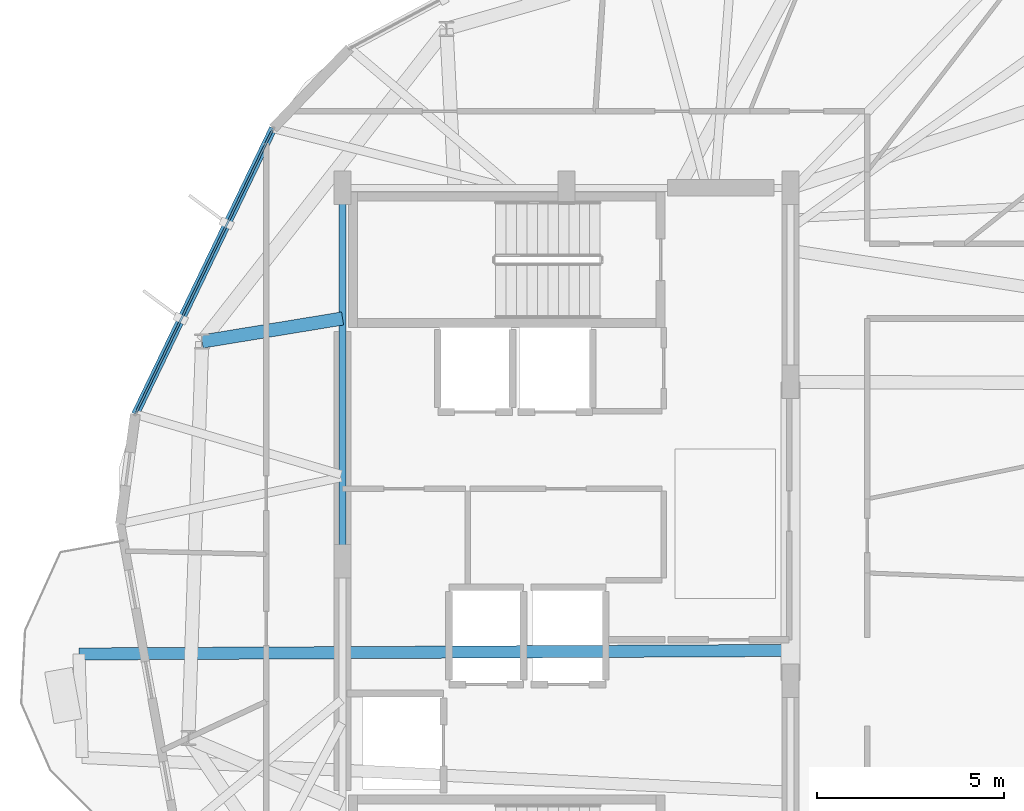
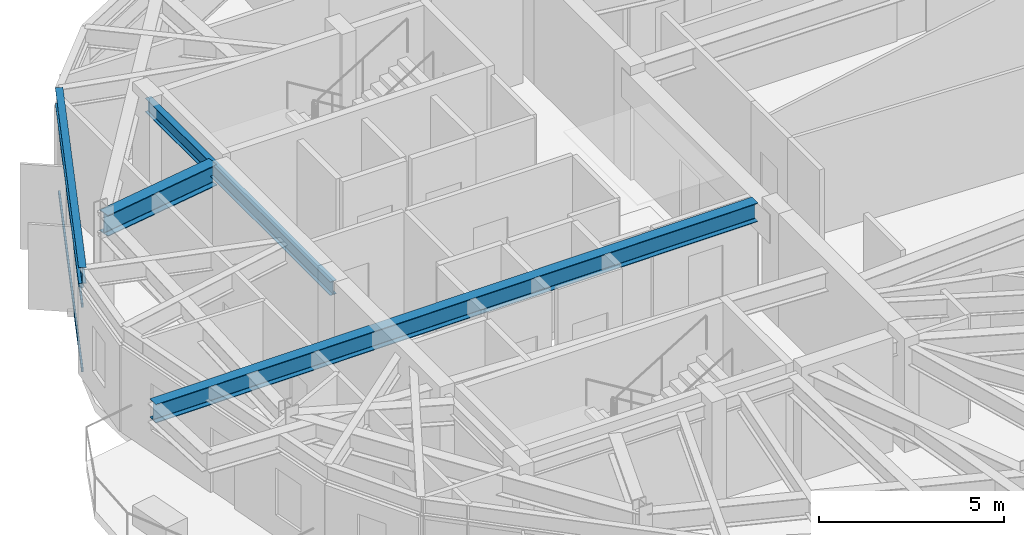
# One storey, part 8 of 26: 4 beams, 3 members, 1 element without a shape of its own.
"""IFC4 building model written with IfcOpenShell, lengths in metres."""

from ifc_helpers import new_model, si_unit, direction, frame, origin, origin_2d, place, context, subcontext, project, spatial, hollow_rectangle, i_section, extrude, material, layer, layer_set, material_profile, profile_set, type_object, element, aggregate, save


model = new_model("IFC4")

# Units and contexts
model_context = context("Model", 3, precision=1e-05, world=origin(), true_north=direction((0.0, 1.0)))
body_context = subcontext(model_context, "Body", "Model", "MODEL_VIEW")
ifc_project = project(units=[si_unit("LENGTHUNIT", "METRE"), si_unit("AREAUNIT", "SQUARE_METRE"), si_unit("VOLUMEUNIT", "CUBIC_METRE"), si_unit("PLANEANGLEUNIT", "RADIAN"), si_unit("MASSUNIT", "GRAM", prefix="KILO")], contexts=[model_context])

# Site, building, storey
site_placement = place(None, origin())
site = spatial("IfcSite", under=ifc_project, at=site_placement, CompositionType="ELEMENT")
building_placement = place(site_placement, origin())
building = spatial("IfcBuilding", under=site, at=building_placement, Name="Soratama Intermodal Tower", CompositionType="ELEMENT")
storey_placement = place(building_placement, frame((0.0, 0.0, 268.75)))
storey = spatial("IfcBuildingStorey", under=building, at=storey_placement, Name="L68", CompositionType="ELEMENT", Elevation=268.75)

# Beams
ifc_material_1 = material(Name="Structural steel ASTM A992 Grade 50", Category="steel")
ifc_material_profile_1 = material_profile(ifc_material_1, i_section(OverallWidth=0.324951171875, OverallDepth=0.615966796875, WebThickness=0.013916015625, FlangeThickness=0.021484375, FilletRadius=0.013916015625, at=origin_2d()), Name="W24X117")
ifc_profile_set_1 = profile_set([ifc_material_profile_1], Name="Structural steel ASTM A992 Grade 50")
beam_type_1 = type_object("IfcBeamType", Name="BM-CANT-W24X117", PredefinedType="BEAM", material=ifc_profile_set_1)
beam_1_placement = place(storey_placement, frame((44.364990234375, 22.60595703125, 3.14208984375), z_axis=(-0.999987795098, -0.00494061272, 0.0), x_axis=(0.00494061272, -0.999987795098, 0.0)))
element("IfcBeam", 1, at=beam_1_placement, inside=storey, type_object=beam_type_1, Name="BM-L68-CANT-2-1", PredefinedType="BEAM", context=body_context, shape_type="SweptSolid", body=[
    extrude(i_section(OverallWidth=0.324951171875, OverallDepth=0.615966796875, WebThickness=0.013916015625, FlangeThickness=0.021484375, FilletRadius=0.013916015625, at=origin_2d()), origin(), (0.0, 0.0, 1.0), 18.8271484375),
])
ifc_material_2 = material(Name="Structural steel ASTM A992 Grade 50", Category="steel")
ifc_material_profile_2 = material_profile(ifc_material_2, i_section(OverallWidth=0.19091796875, OverallDepth=0.4599609375, WebThickness=0.010009765625, FlangeThickness=0.01611328125, FilletRadius=0.010986328125, at=origin_2d()), Name="W18X55")
ifc_profile_set_2 = profile_set([ifc_material_profile_2], Name="Structural steel ASTM A992 Grade 50")
beam_type_2 = type_object("IfcBeamType", Name="BM-FLR-W18X55", PredefinedType="BEAM", material=ifc_profile_set_2)
beam_2_placement = place(storey_placement, frame((32.60009765625, 35.0, 3.219970703125), z_axis=(0.0, -1.0, 0.0), x_axis=(1.0, 0.0, 0.0)))
element("IfcBeam", 2, at=beam_2_placement, inside=storey, type_object=beam_type_2, Name="BM-L68-CRING-08", PredefinedType="BEAM", context=body_context, shape_type="SweptSolid", body=[
    extrude(i_section(OverallWidth=0.19091796875, OverallDepth=0.4599609375, WebThickness=0.010009765625, FlangeThickness=0.01611328125, FilletRadius=0.010986328125, at=origin_2d()), origin(), (0.0, 0.0, 1.0), 10.0),
])
ifc_material_3 = material(Name="Structural steel ASTM A992 Grade 50", Category="steel")
ifc_material_profile_3 = material_profile(ifc_material_3, i_section(OverallWidth=0.35498046875, OverallDepth=0.695068359375, WebThickness=0.015380859375, FlangeThickness=0.02490234375, FilletRadius=0.01611328125, at=origin_2d()), Name="W27X146")
ifc_profile_set_3 = profile_set([ifc_material_profile_3], Name="Structural steel ASTM A992 Grade 50")
beam_type_3 = type_object("IfcBeamType", Name="BM-RING-W27X146", PredefinedType="BEAM", material=ifc_profile_set_3)
beam_3_placement = place(storey_placement, frame((32.60009765625, 31.5, 3.1025390625), z_axis=(-0.986826492219, -0.161782181513, 0.0), x_axis=(0.161782181513, -0.986826492219, 0.0)))
element("IfcBeam", 3, at=beam_3_placement, inside=storey, type_object=beam_type_3, Name="BM-L68-RAD-05", PredefinedType="BEAM", context=body_context, shape_type="SweptSolid", body=[
    extrude(i_section(OverallWidth=0.35498046875, OverallDepth=0.695068359375, WebThickness=0.015380859375, FlangeThickness=0.02490234375, FilletRadius=0.01611328125, at=origin_2d()), origin(), (0.0, 0.0, 1.0), 3.8134765625),
])
ifc_material_4 = material(Name="Structural steel ASTM A992 Grade 50", Category="steel")
ifc_material_profile_4 = material_profile(ifc_material_4, i_section(OverallWidth=0.2099609375, OverallDepth=0.537109375, WebThickness=0.010986328125, FlangeThickness=0.017333984375, FilletRadius=0.012939453125, at=origin_2d()), Name="W21X68")
ifc_profile_set_4 = profile_set([ifc_material_profile_4], Name="Structural steel ASTM A992 Grade 50")
beam_type_4 = type_object("IfcBeamType", Name="BM-SPN-W21X68", PredefinedType="SPANDREL", material=ifc_profile_set_4)
beam_4_placement = place(storey_placement, frame((30.739990234375, 36.593017578125, 3.181396484375), z_axis=(-0.434263808671, -0.900785737275, 0.0), x_axis=(0.900785737275, -0.434263808671, 0.0)))
element("IfcBeam", 4, at=beam_4_placement, inside=storey, type_object=beam_type_4, Name="BS-L68-F03", PredefinedType="SPANDREL", context=body_context, shape_type="SweptSolid", body=[
    extrude(i_section(OverallWidth=0.2099609375, OverallDepth=0.537109375, WebThickness=0.010986328125, FlangeThickness=0.017333984375, FilletRadius=0.012939453125, at=origin_2d()), origin(), (0.0, 0.0, 1.0), 8.499267578125),
])

# Curtain wall, members
ifc_material_5 = material(Name="Double-glazed aluminium curtain wall", Category="aluminium")
ifc_layer = layer(ifc_material_5, 0.159912109375)
ifc_layer_set = layer_set([ifc_layer], Name="Double-glazed aluminium curtain wall")
curtain_wall_type = type_object("IfcCurtainWallType", Name="CW-SYS-5", PredefinedType="NOTDEFINED", material=ifc_layer_set)
curtain_wall_placement = place(storey_placement, origin())
curtain_wall = element("IfcCurtainWall", 5, at=curtain_wall_placement, inside=storey, type_object=curtain_wall_type, Name="L68 Faceted Curtain Wall F03", PredefinedType="NOTDEFINED")
ifc_material_6 = material(Name="Anodised aluminium AA 6063-T6", Category="aluminium")
ifc_material_profile_5 = material_profile(ifc_material_6, hollow_rectangle(XDim=0.06005859375, YDim=0.1298828125, WallThickness=0.0048828125, InnerFilletRadius=0.0048828125, OuterFilletRadius=0.010009765625, at=origin_2d()), Name="CWT130X60X5")
ifc_profile_set_5 = profile_set([ifc_material_profile_5], Name="Anodised aluminium AA 6063-T6")
member_type = type_object("IfcMemberType", Name="TT-CWT-2", PredefinedType="USERDEFINED", material=ifc_profile_set_5)
member_1_placement = place(storey_placement, frame((30.7138671875, 36.5390625, 0.030029296875), z_axis=(-0.43428947641, -0.90077336255, 0.0), x_axis=(0.90077336255, -0.43428947641, 0.0)))
member_1 = element("IfcMember", 6, at=member_1_placement, type_object=member_type, Name="CW-5 transom 1.1", ObjectType="TRANSOM", PredefinedType="USERDEFINED", context=body_context, shape_type="SweptSolid", body=[
    extrude(hollow_rectangle(XDim=0.06005859375, YDim=0.1298828125, WallThickness=0.0048828125, InnerFilletRadius=0.0048828125, OuterFilletRadius=0.010009765625, at=origin_2d()), origin(), (0.0, 0.0, 1.0), 8.379638671875),
])
member_2_placement = place(storey_placement, frame((30.7138671875, 36.5390625, 2.14990234375), z_axis=(-0.43428947641, -0.90077336255, 0.0), x_axis=(0.90077336255, -0.43428947641, 0.0)))
member_2 = element("IfcMember", 7, at=member_2_placement, type_object=member_type, Name="CW-5 transom 1.2", ObjectType="TRANSOM", PredefinedType="USERDEFINED", context=body_context, shape_type="SweptSolid", body=[
    extrude(hollow_rectangle(XDim=0.06005859375, YDim=0.1298828125, WallThickness=0.0048828125, InnerFilletRadius=0.0048828125, OuterFilletRadius=0.010009765625, at=origin_2d()), origin(), (0.0, 0.0, 1.0), 8.379638671875),
])
member_3_placement = place(storey_placement, frame((30.7138671875, 36.5390625, 2.799072265625), z_axis=(-0.43428947641, -0.90077336255, 0.0), x_axis=(0.90077336255, -0.43428947641, 0.0)))
member_3 = element("IfcMember", 8, at=member_3_placement, type_object=member_type, Name="CW-5 transom 1.3", ObjectType="TRANSOM", PredefinedType="USERDEFINED", context=body_context, shape_type="SweptSolid", body=[
    extrude(hollow_rectangle(XDim=0.06005859375, YDim=0.1298828125, WallThickness=0.0048828125, InnerFilletRadius=0.0048828125, OuterFilletRadius=0.010009765625, at=origin_2d()), origin(), (0.0, 0.0, 1.0), 8.379638671875),
])
aggregate(curtain_wall, [member_1, member_2, member_3])

save(model, "model.ifc")
